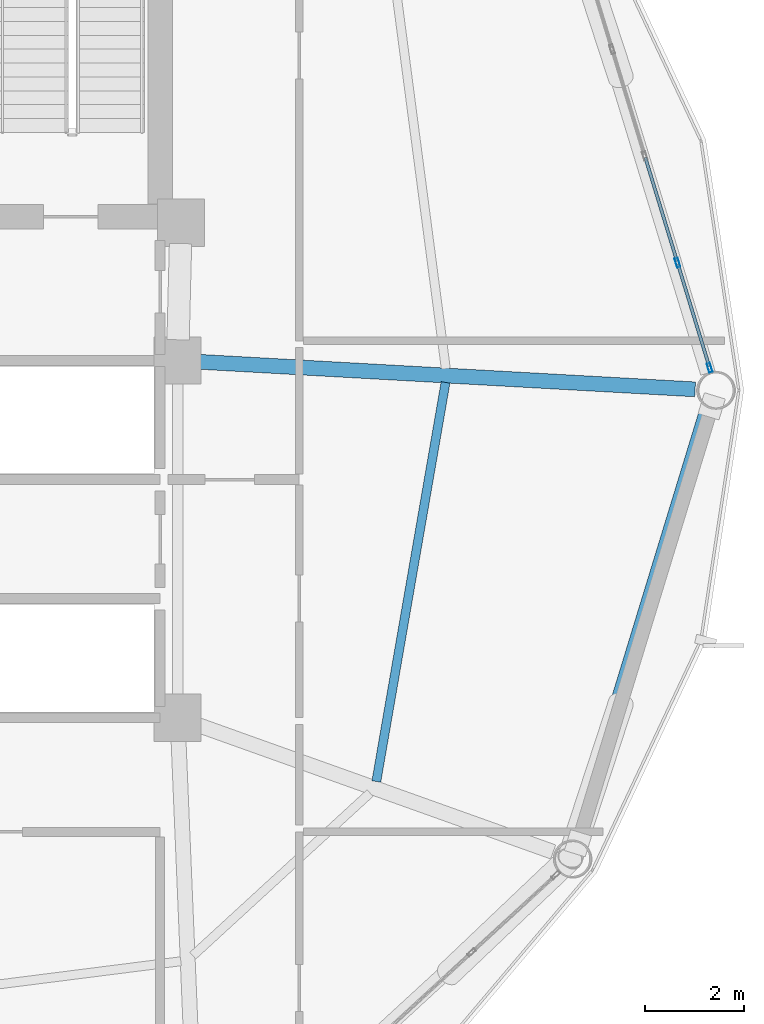
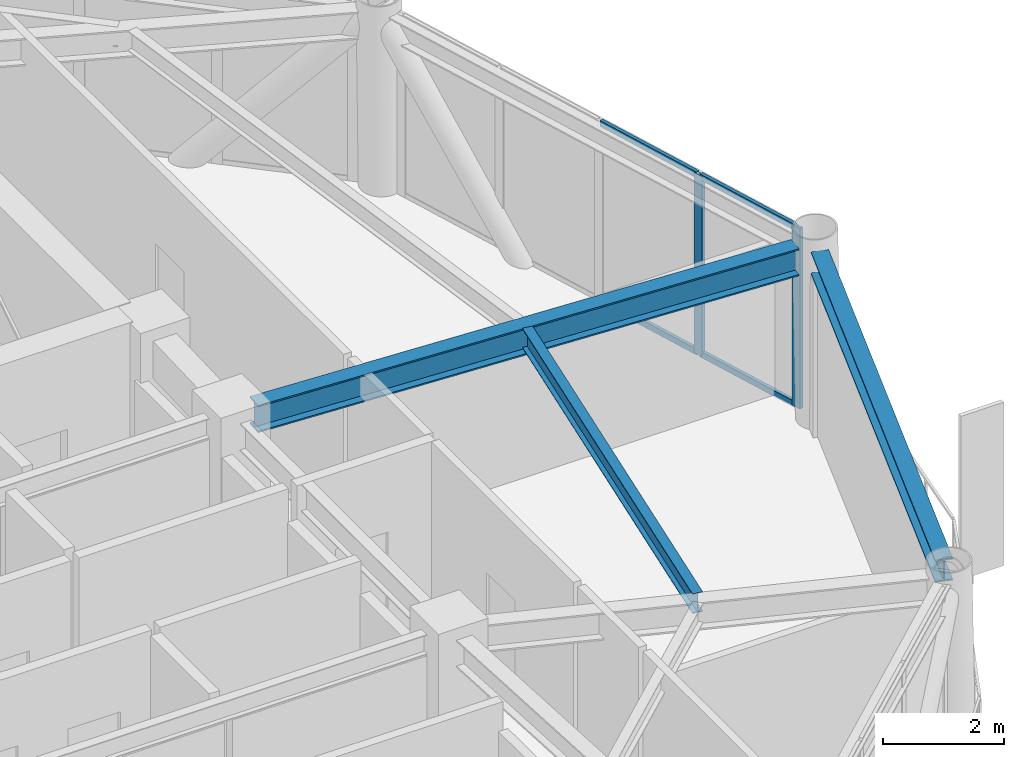
# One storey, part 14 of 26: 6 members, 3 beams, 1 element without a shape of its own.
"""IFC4 building model written with IfcOpenShell, lengths in metres."""

from ifc_helpers import new_model, si_unit, direction, frame, origin, origin_2d, place, context, subcontext, project, spatial, hollow_rectangle, i_section, extrude, material, layer, layer_set, material_profile, profile_set, type_object, element, aggregate, save


model = new_model("IFC4")

# Units and contexts
model_context = context("Model", 3, precision=1e-05, world=origin(), true_north=direction((0.0, 1.0)))
body_context = subcontext(model_context, "Body", "Model", "MODEL_VIEW")
ifc_project = project(units=[si_unit("LENGTHUNIT", "METRE"), si_unit("AREAUNIT", "SQUARE_METRE"), si_unit("VOLUMEUNIT", "CUBIC_METRE"), si_unit("PLANEANGLEUNIT", "RADIAN"), si_unit("MASSUNIT", "GRAM", prefix="KILO")], contexts=[model_context])

# Site, building, storey
site_placement = place(None, origin())
site = spatial("IfcSite", under=ifc_project, at=site_placement, CompositionType="ELEMENT")
building_placement = place(site_placement, origin())
building = spatial("IfcBuilding", under=site, at=building_placement, Name="Varnakorn Sky Granary", CompositionType="ELEMENT")
storey_placement = place(building_placement, frame((0.0, 0.0, 153.89990234375)))
storey = spatial("IfcBuildingStorey", under=building, at=storey_placement, Name="L38", CompositionType="ELEMENT", Elevation=153.89990234375)

# Beams
ifc_material_1 = material(Name="Steel S355JR", Category="steel")
ifc_material_profile_1 = material_profile(ifc_material_1, i_section(OverallWidth=0.300048828125, OverallDepth=0.550048828125, WebThickness=0.014892578125, FlangeThickness=0.029052734375, at=origin_2d()), Name="HE 550 B")
ifc_profile_set_1 = profile_set([ifc_material_profile_1], Name="Steel S355JR")
beam_type_1 = type_object("IfcBeamType", Name="BM-RAD-Z3", PredefinedType="BEAM", material=ifc_profile_set_1)
beam_1_placement = place(storey_placement, frame((8.769287109375, 0.57666015625, 3.364990234375), z_axis=(0.998460428094, -0.055468671614, 0.0), x_axis=(0.055468671614, 0.998460428094, 0.0)))
element("IfcBeam", 1, at=beam_1_placement, inside=storey, type_object=beam_type_1, Name="Radial Floor Girder RG01 L38", PredefinedType="BEAM", context=body_context, shape_type="SweptSolid", body=[
    extrude(i_section(OverallWidth=0.300048828125, OverallDepth=0.550048828125, WebThickness=0.014892578125, FlangeThickness=0.029052734375, at=origin_2d()), origin(), (0.0, 0.0, 1.0), 10.03076171875),
])
ifc_material_profile_2 = material_profile(ifc_material_1, i_section(OverallWidth=0.179931640625, OverallDepth=0.39990234375, WebThickness=0.008544921875, FlangeThickness=0.013427734375, at=origin_2d()), Name="IPE 400")
ifc_profile_set_2 = profile_set([ifc_material_profile_2], Name="Steel S355JR")
beam_type_2 = type_object("IfcBeamType", Name="BM-SEC-Z3", PredefinedType="BEAM", material=ifc_profile_set_2)
beam_2_placement = place(storey_placement, frame((12.357666015625, -7.885498046875, 3.440185546875), z_axis=(0.170886952997, 0.985290642042, 0.0), x_axis=(-0.985290642042, 0.170886952997, 0.0)))
element("IfcBeam", 2, at=beam_2_placement, inside=storey, type_object=beam_type_2, Name="Secondary Floor Chord Beam MSB12 L38", PredefinedType="BEAM", context=body_context, shape_type="SweptSolid", body=[
    extrude(i_section(OverallWidth=0.179931640625, OverallDepth=0.39990234375, WebThickness=0.008544921875, FlangeThickness=0.013427734375, at=origin_2d()), origin(), (0.0, 0.0, 1.0), 8.166259765625),
])
ifc_material_profile_3 = material_profile(ifc_material_1, i_section(OverallWidth=0.300048828125, OverallDepth=0.449951171875, WebThickness=0.013916015625, FlangeThickness=0.02587890625, at=origin_2d()), Name="HE 450 B")
ifc_profile_set_3 = profile_set([ifc_material_profile_3], Name="Steel S355JR")
beam_type_3 = type_object("IfcBeamType", Name="BM-SPD-Z3", PredefinedType="SPANDREL", material=ifc_profile_set_3)
beam_3_placement = place(storey_placement, frame((16.37353515625, -9.0791015625, 3.4150390625), z_axis=(0.292442765149, 0.956283027724, 0.0), x_axis=(-0.956283027724, 0.292442765149, 0.0)))
element("IfcBeam", 3, at=beam_3_placement, inside=storey, type_object=beam_type_3, Name="Perimeter Spandrel Ring Beam RB12 L38", PredefinedType="SPANDREL", context=body_context, shape_type="SweptSolid", body=[
    extrude(i_section(OverallWidth=0.300048828125, OverallDepth=0.449951171875, WebThickness=0.013916015625, FlangeThickness=0.02587890625, at=origin_2d()), origin(), (0.0, 0.0, 1.0), 9.128173828125),
])

# Curtain wall, members
ifc_material_2 = material(Name="Anodised Bronze Aluminium Alloy 6063-T6", Category="aluminium")
ifc_layer = layer(ifc_material_2, 0.179931640625, Name="Anodised Bronze Aluminium Alloy 6063-T6")
ifc_layer_set = layer_set([ifc_layer], Name="Anodised Bronze Aluminium Alloy 6063-T6")
curtain_wall_type = type_object("IfcCurtainWallType", Name="CW-FRM-2", PredefinedType="USERDEFINED", material=ifc_layer_set)
curtain_wall_placement = place(storey_placement, origin())
curtain_wall = element("IfcCurtainWall", 4, at=curtain_wall_placement, inside=storey, type_object=curtain_wall_type, Name="Unitised Curtain Wall CW4 CW-L38-B01", ObjectType="CURTAIN WALL", PredefinedType="USERDEFINED")
ifc_material_profile_4 = material_profile(ifc_material_2, hollow_rectangle(XDim=0.070068359375, YDim=0.18505859375, WallThickness=0.00390625, at=origin_2d()), Name="ALU MULL 70x185")
ifc_profile_set_4 = profile_set([ifc_material_profile_4], Name="Anodised Bronze Aluminium Alloy 6063-T6")
member_type_1 = type_object("IfcMemberType", Name="CW-FRM-2-MULL", PredefinedType="MULLION", material=ifc_profile_set_4)
member_1_placement = place(storey_placement, frame((18.429443359375, 2.573974609375, 0.0), z_axis=(0.0, 0.0, 1.0), x_axis=(0.956229135682, 0.29261893321, 0.0)))
member_1 = element("IfcMember", 5, at=member_1_placement, type_object=member_type_1, Name="CW4 mullion 4", PredefinedType="MULLION", context=body_context, shape_type="SweptSolid", body=[
    extrude(hollow_rectangle(XDim=0.070068359375, YDim=0.18505859375, WallThickness=0.00390625, at=origin_2d()), origin(), (0.0, 0.0, 1.0), 3.64013671875),
])
member_2_placement = place(storey_placement, frame((19.07763671875, 0.455078125, 0.0), z_axis=(0.0, 0.0, 1.0), x_axis=(0.956229135682, 0.29261893321, 0.0)))
member_2 = element("IfcMember", 6, at=member_2_placement, type_object=member_type_1, Name="CW4 mullion 5", PredefinedType="MULLION", context=body_context, shape_type="SweptSolid", body=[
    extrude(hollow_rectangle(XDim=0.070068359375, YDim=0.18505859375, WallThickness=0.00390625, at=origin_2d()), origin(), (0.0, 0.0, 1.0), 3.64013671875),
])
ifc_material_profile_5 = material_profile(ifc_material_2, hollow_rectangle(XDim=0.06494140625, YDim=0.1201171875, WallThickness=0.00341796875, at=origin_2d()), Name="ALU TRAN 65x120")
ifc_profile_set_5 = profile_set([ifc_material_profile_5], Name="Anodised Bronze Aluminium Alloy 6063-T6")
member_type_2 = type_object("IfcMemberType", Name="CW-FRM-2-TRAN", PredefinedType="USERDEFINED", material=ifc_profile_set_5)
member_3_placement = place(storey_placement, frame((17.781005859375, 4.69287109375, 0.03271484375), z_axis=(0.292622362182, -0.956228086364, 0.0), x_axis=(0.956228086364, 0.292622362182, 0.0)))
member_3 = element("IfcMember", 7, at=member_3_placement, type_object=member_type_2, Name="CW4 transom 3.1", ObjectType="TRANSOM", PredefinedType="USERDEFINED", context=body_context, shape_type="SweptSolid", body=[
    extrude(hollow_rectangle(XDim=0.06494140625, YDim=0.1201171875, WallThickness=0.00341796875, at=origin_2d()), origin(), (0.0, 0.0, 1.0), 2.180908203125),
])
member_4_placement = place(storey_placement, frame((17.781005859375, 4.69287109375, 3.607666015625), z_axis=(0.292622362182, -0.956228086364, 0.0), x_axis=(0.956228086364, 0.292622362182, 0.0)))
member_4 = element("IfcMember", 8, at=member_4_placement, type_object=member_type_2, Name="CW4 transom 3.2", ObjectType="TRANSOM", PredefinedType="USERDEFINED", context=body_context, shape_type="SweptSolid", body=[
    extrude(hollow_rectangle(XDim=0.06494140625, YDim=0.1201171875, WallThickness=0.00341796875, at=origin_2d()), origin(), (0.0, 0.0, 1.0), 2.180908203125),
])
member_5_placement = place(storey_placement, frame((18.439697265625, 2.54052734375, 0.03271484375), z_axis=(0.29261449496, -0.956230493835, 0.0), x_axis=(0.956230493835, 0.29261449496, 0.0)))
member_5 = element("IfcMember", 9, at=member_5_placement, type_object=member_type_2, Name="CW4 transom 4.1", ObjectType="TRANSOM", PredefinedType="USERDEFINED", context=body_context, shape_type="SweptSolid", body=[
    extrude(hollow_rectangle(XDim=0.06494140625, YDim=0.1201171875, WallThickness=0.00341796875, at=origin_2d()), origin(), (0.0, 0.0, 1.0), 2.14599609375),
])
member_6_placement = place(storey_placement, frame((18.439697265625, 2.54052734375, 3.607666015625), z_axis=(0.29261449496, -0.956230493835, 0.0), x_axis=(0.956230493835, 0.29261449496, 0.0)))
member_6 = element("IfcMember", 10, at=member_6_placement, type_object=member_type_2, Name="CW4 transom 4.2", ObjectType="TRANSOM", PredefinedType="USERDEFINED", context=body_context, shape_type="SweptSolid", body=[
    extrude(hollow_rectangle(XDim=0.06494140625, YDim=0.1201171875, WallThickness=0.00341796875, at=origin_2d()), origin(), (0.0, 0.0, 1.0), 2.14599609375),
])
aggregate(curtain_wall, [member_1, member_2, member_3, member_4, member_5, member_6])

save(model, "model.ifc")
